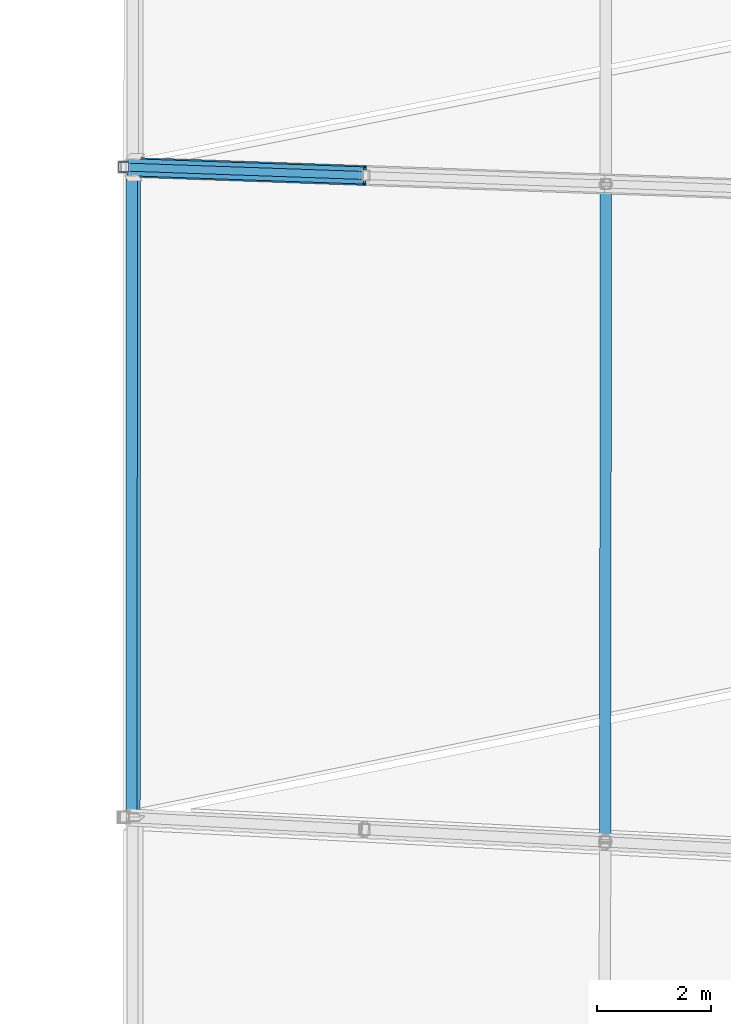
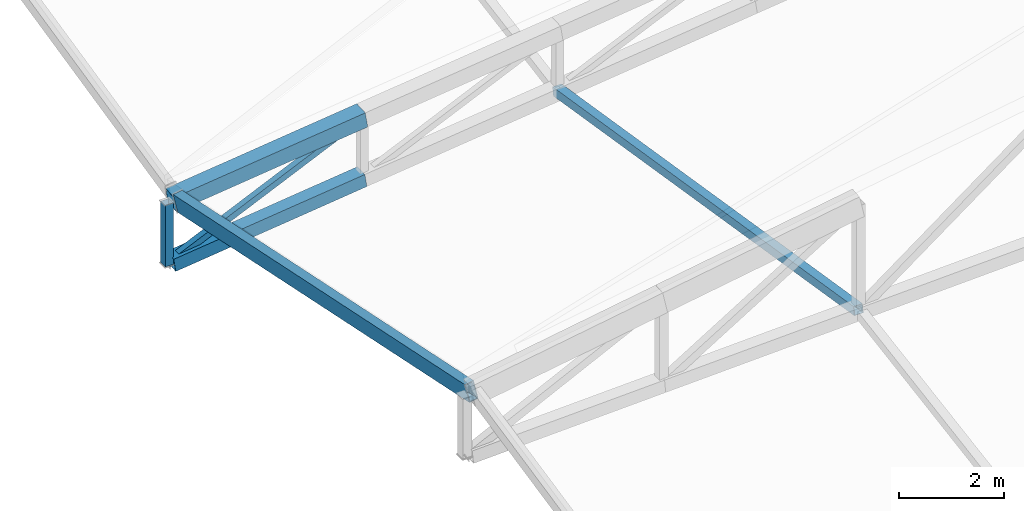
# One storey, part 98 of 344: 5 members, 1 beam.
"""IFC4 building model written with IfcOpenShell, lengths in metres."""

from ifc_helpers import new_model, si_unit, direction, frame, origin, origin_2d, place, context, subcontext, project, spatial, hollow_rectangle, extrude, material, material_profile, profile_set, type_object, element, save


model = new_model("IFC4")

# Units and contexts
model_context = context("Model", 3, precision=1e-05, world=origin(), true_north=direction((0.0, 1.0)))
body_context = subcontext(model_context, "Body", "Model", "MODEL_VIEW")
ifc_project = project(units=[si_unit("LENGTHUNIT", "METRE"), si_unit("AREAUNIT", "SQUARE_METRE"), si_unit("VOLUMEUNIT", "CUBIC_METRE"), si_unit("PLANEANGLEUNIT", "RADIAN"), si_unit("MASSUNIT", "GRAM", prefix="KILO")], contexts=[model_context])

# Site, building, storey
site_placement = place(None, origin())
site = spatial("IfcSite", under=ifc_project, at=site_placement, CompositionType="ELEMENT")
building_placement = place(site_placement, origin())
building = spatial("IfcBuilding", under=site, at=building_placement, Name="Meseta Stadium", CompositionType="ELEMENT")
storey_placement = place(building_placement, frame((0.0, 0.0, 24.0)))
storey = spatial("IfcBuildingStorey", under=building, at=storey_placement, Name="L04", CompositionType="ELEMENT", Elevation=24.0)

# Beam
ifc_material_1 = material(Name="Steel S355", Category="steel")
ifc_material_profile_1 = material_profile(ifc_material_1, hollow_rectangle(XDim=0.199951171875, YDim=0.39990234375, WallThickness=0.01611328125, at=origin_2d()), Name="RHS 400x200x16")
ifc_profile_set_1 = profile_set([ifc_material_profile_1], Name="Steel S355")
beam_type = type_object("IfcBeamType", Name="RHS 400x200x16 tip ring beam", PredefinedType="BEAM", material=ifc_profile_set_1)
beam_placement = place(storey_placement, frame((47.1591796875, -28.4248046875, 4.9375), z_axis=(0.000492895525, 0.978869082099, -0.204487352089), x_axis=(-0.990388044627, -0.027806008835, -0.135492977426)))
element("IfcBeam", 1, at=beam_placement, inside=storey, type_object=beam_type, Name="TIP RING BEAM 03", PredefinedType="BEAM", context=body_context, shape_type="SweptSolid", body=[
    extrude(hollow_rectangle(XDim=0.199951171875, YDim=0.39990234375, WallThickness=0.01611328125, at=origin_2d()), origin(), (0.0, 0.0, 1.0), 11.392333984375),
])

# Members
ifc_material_2 = material(Name="Steel S355", Category="steel")
ifc_material_profile_2 = material_profile(ifc_material_2, hollow_rectangle(XDim=0.139892578125, YDim=0.139892578125, WallThickness=0.0048828125, at=origin_2d()), Name="SHS 140x140x5")
ifc_profile_set_2 = profile_set([ifc_material_profile_2], Name="Steel S355")
member_type_1 = type_object("IfcMemberType", Name="SHS 140x140x5 diagonal", PredefinedType="BRACE", material=ifc_profile_set_2)
member_1_placement = place(storey_placement, frame((46.996826171875, -17.072265625, 1.10205078125), z_axis=(0.898087440592, -0.031645851491, 0.438676975842), x_axis=(0.035215082554, 0.999379756629, 0.0)))
element("IfcMember", 2, at=member_1_placement, inside=storey, type_object=member_type_1, Name="ROOF TRUSS RT-03 diagonal", PredefinedType="BRACE", context=body_context, shape_type="SweptSolid", body=[
    extrude(hollow_rectangle(XDim=0.139892578125, YDim=0.139892578125, WallThickness=0.0048828125, at=origin_2d()), origin(), (0.0, 0.0, 1.0), 4.6982421875),
])
ifc_material_3 = material(Name="Steel S355", Category="steel")
ifc_material_profile_3 = material_profile(ifc_material_3, hollow_rectangle(XDim=0.179931640625, YDim=0.179931640625, WallThickness=0.00634765625, at=origin_2d()), Name="SHS 180x180x6.3")
ifc_profile_set_3 = profile_set([ifc_material_profile_3], Name="Steel S355")
member_type_2 = type_object("IfcMemberType", Name="SHS 180x180x6.3 rim post", PredefinedType="POST", material=ifc_profile_set_3)
member_2_placement = place(storey_placement, frame((46.996826171875, -17.072265625, 1.10205078125), z_axis=(0.0, 0.0, 1.0), x_axis=(1.0, 0.0, 0.0)))
element("IfcMember", 3, at=member_2_placement, inside=storey, type_object=member_type_2, Name="ROOF TRUSS RT-03 post", PredefinedType="POST", context=body_context, shape_type="SweptSolid", body=[
    extrude(hollow_rectangle(XDim=0.179931640625, YDim=0.179931640625, WallThickness=0.00634765625, at=origin_2d()), origin(), (0.0, 0.0, 1.0), 1.427978515625),
])
ifc_material_4 = material(Name="Steel S355", Category="steel")
ifc_material_profile_4 = material_profile(ifc_material_4, hollow_rectangle(XDim=0.199951171875, YDim=0.199951171875, WallThickness=0.008056640625, at=origin_2d()), Name="SHS 200x200x8")
ifc_profile_set_4 = profile_set([ifc_material_profile_4], Name="Steel S355")
member_type_3 = type_object("IfcMemberType", Name="SHS 200x200x8 strut", PredefinedType="STRUT", material=ifc_profile_set_4)
member_3_placement = place(storey_placement, frame((55.42431640625, -28.886962890625, 4.232421875), z_axis=(0.001004414603, 0.987151227413, -0.159785623159), x_axis=(-0.999999482359, 0.00101748755, 0.0)))
element("IfcMember", 4, at=member_3_placement, inside=storey, type_object=member_type_3, Name="ROOF TRUSS STRUT RT-02/03", PredefinedType="STRUT", context=body_context, shape_type="SweptSolid", body=[
    extrude(hollow_rectangle(XDim=0.199951171875, YDim=0.199951171875, WallThickness=0.008056640625, at=origin_2d()), origin(), (0.0, 0.0, 1.0), 11.667236328125),
])
ifc_material_5 = material(Name="Steel S355", Category="steel")
ifc_material_profile_5 = material_profile(ifc_material_5, hollow_rectangle(XDim=0.300048828125, YDim=0.300048828125, WallThickness=0.010009765625, at=origin_2d()), Name="SHS 300x300x10")
ifc_profile_set_5 = profile_set([ifc_material_profile_5], Name="Steel S355")
member_type_4 = type_object("IfcMemberType", Name="SHS 300x300x10 bottom chord", PredefinedType="CHORD", material=ifc_profile_set_5)
member_4_placement = place(storey_placement, frame((47.085693359375, -17.075439453125, 1.115234375), z_axis=(0.988326960944, -0.034815465969, 0.148316221635), x_axis=(0.035204831857, 0.99938011778, 0.0)))
element("IfcMember", 5, at=member_4_placement, inside=storey, type_object=member_type_4, Name="ROOF TRUSS RT-03 bottom chord", PredefinedType="CHORD", context=body_context, shape_type="SweptSolid", body=[
    extrude(hollow_rectangle(XDim=0.300048828125, YDim=0.300048828125, WallThickness=0.010009765625, at=origin_2d()), origin(), (0.0, 0.0, 1.0), 4.179443359375),
])
ifc_material_6 = material(Name="Steel S355", Category="steel")
ifc_material_profile_6 = material_profile(ifc_material_6, hollow_rectangle(XDim=0.35009765625, YDim=0.35009765625, WallThickness=0.010009765625, at=origin_2d()), Name="SHS 350x350x10")
ifc_profile_set_6 = profile_set([ifc_material_profile_6], Name="Steel S355")
member_type_5 = type_object("IfcMemberType", Name="SHS 350x350x10 top chord", PredefinedType="CHORD", material=ifc_profile_set_6)
member_5_placement = place(storey_placement, frame((47.085693359375, -17.075439453125, 2.54345703125), z_axis=(0.988335522158, -0.034815767552, 0.148259090681), x_axis=(0.035204831857, 0.99938011778, 0.0)))
element("IfcMember", 6, at=member_5_placement, inside=storey, type_object=member_type_5, Name="ROOF TRUSS RT-03 top chord", PredefinedType="CHORD", context=body_context, shape_type="SweptSolid", body=[
    extrude(hollow_rectangle(XDim=0.35009765625, YDim=0.35009765625, WallThickness=0.010009765625, at=origin_2d()), origin(), (0.0, 0.0, 1.0), 4.179443359375),
])

save(model, "model.ifc")
